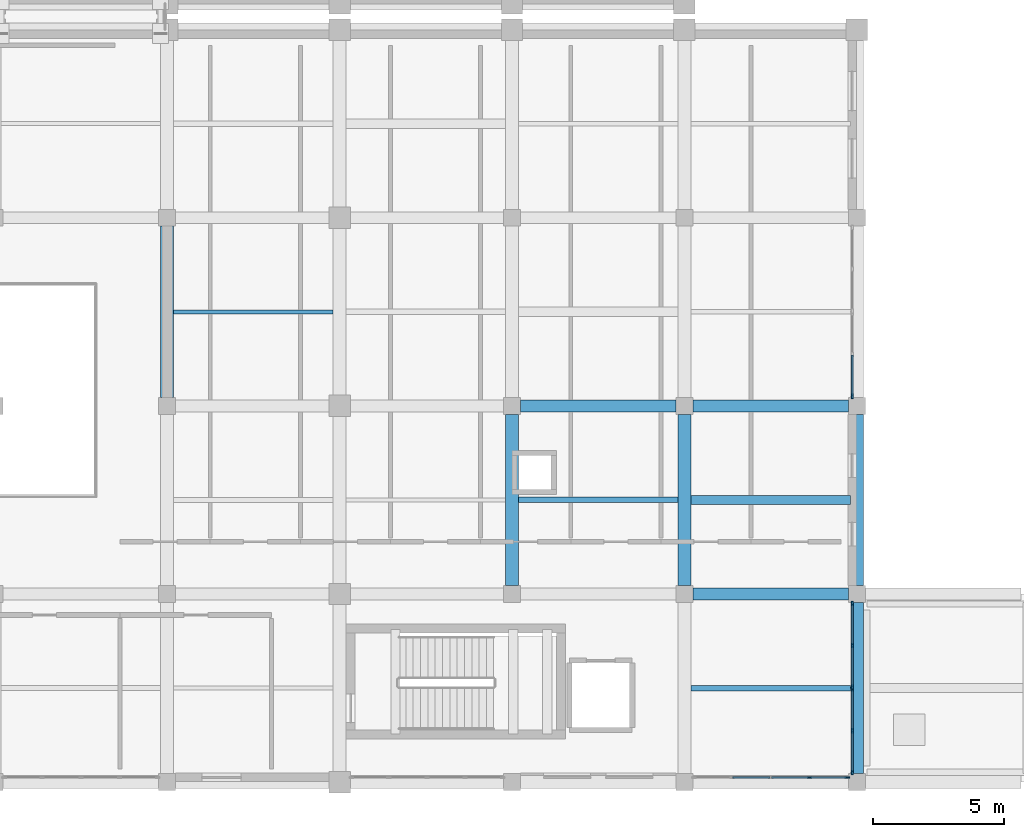
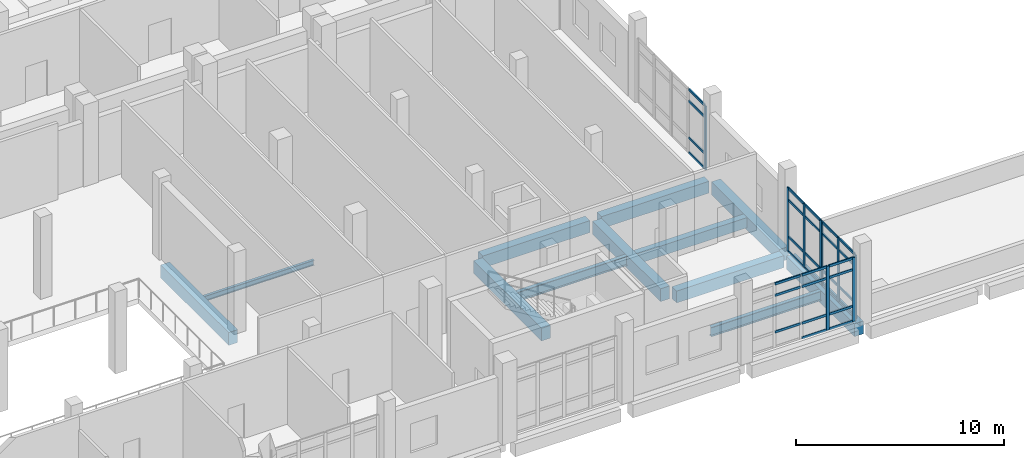
# One storey, part 16 of 90: 40 members, 12 beams, 4 elements without a shape of their own.
"""IFC4 building model written with IfcOpenShell, lengths in metres."""

from ifc_helpers import new_model, si_unit, direction, frame, origin, origin_2d, place, context, subcontext, project, spatial, rectangle, i_section, extrude, material, layer, layer_set, material_profile, profile_set, type_object, element, aggregate, save


model = new_model("IFC4")

# Units and contexts
model_context = context("Model", 3, precision=1e-05, world=origin(), true_north=direction((0.0, 1.0)))
body_context = subcontext(model_context, "Body", "Model", "MODEL_VIEW")
ifc_project = project(units=[si_unit("LENGTHUNIT", "METRE"), si_unit("AREAUNIT", "SQUARE_METRE"), si_unit("VOLUMEUNIT", "CUBIC_METRE"), si_unit("PLANEANGLEUNIT", "RADIAN"), si_unit("MASSUNIT", "GRAM", prefix="KILO")], contexts=[model_context])

# Site, building, storey
site_placement = place(None, origin())
site = spatial("IfcSite", under=ifc_project, at=site_placement, CompositionType="ELEMENT")
building_placement = place(site_placement, origin())
building = spatial("IfcBuilding", under=site, at=building_placement, Name="Kelarvand Opera House", CompositionType="ELEMENT")
storey_placement = place(building_placement, frame((0.0, 0.0, 5.39990234375)))
storey = spatial("IfcBuildingStorey", under=building, at=storey_placement, Name="L01", CompositionType="ELEMENT", Elevation=5.39990234375)

# Curtain wall, member
ifc_material_1 = material(Name="Thermally broken aluminium and low-E glazing", Category="aluminium")
ifc_layer_1 = layer(ifc_material_1, 0.179931640625, Name="Thermally broken aluminium and low-E glazing", Category="aluminium")
ifc_layer_set_1 = layer_set([ifc_layer_1], Name="Thermally broken aluminium and low-E glazing")
curtain_wall_type_1 = type_object("IfcCurtainWallType", Name="Unitised Low-E Curtain Wall 3261x3750 Mod 1350 CWF-26", PredefinedType="USERDEFINED", material=ifc_layer_set_1)
curtain_wall_1_placement = place(storey_placement, origin())
curtain_wall_1 = element("IfcCurtainWall", 1, at=curtain_wall_1_placement, inside=storey, type_object=curtain_wall_type_1, Name="V6 L01 Curtain Wall CWF-26 (206)", ObjectType="UNITISED CURTAIN WALL", PredefinedType="USERDEFINED")
ifc_material_2 = material(Name="Thermally broken anodised aluminium", Category="aluminium")
ifc_material_profile_1 = material_profile(ifc_material_2, rectangle(XDim=0.06494140625, YDim=0.179931640625, at=origin_2d()), Name="ALU MULLION 65x180", Category="aluminium")
ifc_profile_set_1 = profile_set([ifc_material_profile_1], Name="Thermally broken anodised aluminium")
member_type_1 = type_object("IfcMemberType", Name="Curtain Wall Mullion 65x180 Aluminium", PredefinedType="MULLION", material=ifc_profile_set_1)
member_1_placement = place(storey_placement, frame((135.02001953125, 23.767578125, 0.0), z_axis=(0.0, 0.0, 1.0), x_axis=(1.0, 0.0, 0.0)))
member_1 = element("IfcMember", 2, at=member_1_placement, type_object=member_type_1, Name="CWF-26 mullion 3", PredefinedType="MULLION", context=body_context, shape_type="SweptSolid", body=[
    extrude(rectangle(XDim=0.06494140625, YDim=0.179931640625, at=origin_2d()), origin(), (0.0, 0.0, 1.0), 3.75),
])

# Curtain wall, members
curtain_wall_2_placement = place(storey_placement, origin())
curtain_wall_2 = element("IfcCurtainWall", 3, at=curtain_wall_2_placement, inside=storey, type_object=curtain_wall_type_1, Name="V6 L01 Curtain Wall CWF-26 (207)", ObjectType="UNITISED CURTAIN WALL", PredefinedType="USERDEFINED")
member_2_placement = place(storey_placement, frame((135.02001953125, 15.83251953125, 0.0), z_axis=(0.0, 0.0, 1.0), x_axis=(1.0, 0.0, 0.0)))
member_2 = element("IfcMember", 4, at=member_2_placement, type_object=member_type_1, Name="CWF-26 mullion 1", PredefinedType="MULLION", context=body_context, shape_type="SweptSolid", body=[
    extrude(rectangle(XDim=0.06494140625, YDim=0.179931640625, at=origin_2d()), origin(), (0.0, 0.0, 1.0), 3.75),
])
member_3_placement = place(storey_placement, frame((135.02001953125, 14.234619140625, 0.0), z_axis=(0.0, 0.0, 1.0), x_axis=(1.0, 0.0, 0.0)))
member_3 = element("IfcMember", 5, at=member_3_placement, type_object=member_type_1, Name="CWF-26 mullion 2", PredefinedType="MULLION", context=body_context, shape_type="SweptSolid", body=[
    extrude(rectangle(XDim=0.06494140625, YDim=0.179931640625, at=origin_2d()), origin(), (0.0, 0.0, 1.0), 3.75),
])
member_4_placement = place(storey_placement, frame((135.02001953125, 12.636474609375, 0.0), z_axis=(0.0, 0.0, 1.0), x_axis=(1.0, 0.0, 0.0)))
member_4 = element("IfcMember", 6, at=member_4_placement, type_object=member_type_1, Name="CWF-26 mullion 3", PredefinedType="MULLION", context=body_context, shape_type="SweptSolid", body=[
    extrude(rectangle(XDim=0.06494140625, YDim=0.179931640625, at=origin_2d()), origin(), (0.0, 0.0, 1.0), 3.75),
])

curtain_wall_3_placement = place(storey_placement, origin())
curtain_wall_3 = element("IfcCurtainWall", 7, at=curtain_wall_3_placement, inside=storey, type_object=curtain_wall_type_1, Name="V6 L01 Curtain Wall CWF-26 (208)", ObjectType="UNITISED CURTAIN WALL", PredefinedType="USERDEFINED")
member_5_placement = place(storey_placement, frame((135.02001953125, 12.5673828125, 0.0), z_axis=(0.0, 0.0, 1.0), x_axis=(1.0, 0.0, 0.0)))
member_5 = element("IfcMember", 8, at=member_5_placement, type_object=member_type_1, Name="CWF-26 mullion 1", PredefinedType="MULLION", context=body_context, shape_type="SweptSolid", body=[
    extrude(rectangle(XDim=0.06494140625, YDim=0.179931640625, at=origin_2d()), origin(), (0.0, 0.0, 1.0), 3.75),
])
member_6_placement = place(storey_placement, frame((135.02001953125, 10.967529296875, 0.0), z_axis=(0.0, 0.0, 1.0), x_axis=(1.0, 0.0, 0.0)))
member_6 = element("IfcMember", 9, at=member_6_placement, type_object=member_type_1, Name="CWF-26 mullion 2", PredefinedType="MULLION", context=body_context, shape_type="SweptSolid", body=[
    extrude(rectangle(XDim=0.06494140625, YDim=0.179931640625, at=origin_2d()), origin(), (0.0, 0.0, 1.0), 3.75),
])
member_7_placement = place(storey_placement, frame((135.02001953125, 9.367431640625, 0.0), z_axis=(0.0, 0.0, 1.0), x_axis=(1.0, 0.0, 0.0)))
member_7 = element("IfcMember", 10, at=member_7_placement, type_object=member_type_1, Name="CWF-26 mullion 3", PredefinedType="MULLION", context=body_context, shape_type="SweptSolid", body=[
    extrude(rectangle(XDim=0.06494140625, YDim=0.179931640625, at=origin_2d()), origin(), (0.0, 0.0, 1.0), 3.75),
])

ifc_layer_2 = layer(ifc_material_1, 0.179931640625, Name="Thermally broken aluminium and low-E glazing", Category="aluminium")
ifc_layer_set_2 = layer_set([ifc_layer_2], Name="Thermally broken aluminium and low-E glazing")
curtain_wall_type_2 = type_object("IfcCurtainWallType", Name="Unitised Low-E Curtain Wall 5930x3750 Mod 1350 CWF-55", PredefinedType="USERDEFINED", material=ifc_layer_set_2)
curtain_wall_4_placement = place(storey_placement, origin())
curtain_wall_4 = element("IfcCurtainWall", 11, at=curtain_wall_4_placement, inside=storey, type_object=curtain_wall_type_2, Name="V6 L01 Curtain Wall CWF-55 (213)", ObjectType="UNITISED CURTAIN WALL", PredefinedType="USERDEFINED")
member_8_placement = place(storey_placement, frame((134.83251953125, 9.179931640625, 0.0), z_axis=(0.0, 0.0, 1.0), x_axis=(0.0, -1.0, 0.0)))
member_8 = element("IfcMember", 12, at=member_8_placement, type_object=member_type_1, Name="CWF-55 mullion 1", PredefinedType="MULLION", context=body_context, shape_type="SweptSolid", body=[
    extrude(rectangle(XDim=0.06494140625, YDim=0.179931640625, at=origin_2d()), origin(), (0.0, 0.0, 1.0), 3.75),
])
member_9_placement = place(storey_placement, frame((133.382568359375, 9.179931640625, 0.0), z_axis=(0.0, 0.0, 1.0), x_axis=(0.0, -1.0, 0.0)))
member_9 = element("IfcMember", 13, at=member_9_placement, type_object=member_type_1, Name="CWF-55 mullion 2", PredefinedType="MULLION", context=body_context, shape_type="SweptSolid", body=[
    extrude(rectangle(XDim=0.06494140625, YDim=0.179931640625, at=origin_2d()), origin(), (0.0, 0.0, 1.0), 3.75),
])

# Member
ifc_material_profile_2 = material_profile(ifc_material_2, rectangle(XDim=0.06494140625, YDim=0.139892578125, at=origin_2d()), Name="ALU TRANSOM 65x140", Category="aluminium")
ifc_profile_set_2 = profile_set([ifc_material_profile_2], Name="Thermally broken anodised aluminium")
member_type_2 = type_object("IfcMemberType", Name="Curtain Wall Transom 65x140 Aluminium", PredefinedType="USERDEFINED", material=ifc_profile_set_2)
member_10_placement = place(storey_placement, frame((135.02001953125, 25.3349609375, 0.03271484375), z_axis=(0.0, -1.0, 0.0), x_axis=(1.0, 0.0, 0.0)))
member_10 = element("IfcMember", 14, at=member_10_placement, type_object=member_type_2, Name="CWF-26 transom 2.1", ObjectType="TRANSOM", PredefinedType="USERDEFINED", context=body_context, shape_type="SweptSolid", body=[
    extrude(rectangle(XDim=0.06494140625, YDim=0.139892578125, at=origin_2d()), origin(), (0.0, 0.0, 1.0), 1.534912109375),
])

member_11_placement = place(storey_placement, frame((135.02001953125, 25.3349609375, 0.900146484375), z_axis=(0.0, -1.0, 0.0), x_axis=(1.0, 0.0, 0.0)))
member_11 = element("IfcMember", 15, at=member_11_placement, type_object=member_type_2, Name="CWF-26 transom 2.2", ObjectType="TRANSOM", PredefinedType="USERDEFINED", context=body_context, shape_type="SweptSolid", body=[
    extrude(rectangle(XDim=0.06494140625, YDim=0.139892578125, at=origin_2d()), origin(), (0.0, 0.0, 1.0), 1.534912109375),
])

member_12_placement = place(storey_placement, frame((135.02001953125, 25.3349609375, 3.050048828125), z_axis=(0.0, -1.0, 0.0), x_axis=(1.0, 0.0, 0.0)))
member_12 = element("IfcMember", 16, at=member_12_placement, type_object=member_type_2, Name="CWF-26 transom 2.3", ObjectType="TRANSOM", PredefinedType="USERDEFINED", context=body_context, shape_type="SweptSolid", body=[
    extrude(rectangle(XDim=0.06494140625, YDim=0.139892578125, at=origin_2d()), origin(), (0.0, 0.0, 1.0), 1.534912109375),
])

member_13_placement = place(storey_placement, frame((135.02001953125, 25.3349609375, 3.717529296875), z_axis=(0.0, -1.0, 0.0), x_axis=(1.0, 0.0, 0.0)))
member_13 = element("IfcMember", 17, at=member_13_placement, type_object=member_type_2, Name="CWF-26 transom 2.4", ObjectType="TRANSOM", PredefinedType="USERDEFINED", context=body_context, shape_type="SweptSolid", body=[
    extrude(rectangle(XDim=0.06494140625, YDim=0.139892578125, at=origin_2d()), origin(), (0.0, 0.0, 1.0), 1.534912109375),
])

aggregate(curtain_wall_1, [member_1, member_10, member_11, member_12, member_13])

member_14_placement = place(storey_placement, frame((135.02001953125, 15.800048828125, 0.03271484375), z_axis=(0.0, -1.0, 0.0), x_axis=(1.0, 0.0, 0.0)))
member_14 = element("IfcMember", 18, at=member_14_placement, type_object=member_type_2, Name="CWF-26 transom 1.1", ObjectType="TRANSOM", PredefinedType="USERDEFINED", context=body_context, shape_type="SweptSolid", body=[
    extrude(rectangle(XDim=0.06494140625, YDim=0.139892578125, at=origin_2d()), origin(), (0.0, 0.0, 1.0), 1.532958984375),
])

member_15_placement = place(storey_placement, frame((135.02001953125, 15.800048828125, 0.900146484375), z_axis=(0.0, -1.0, 0.0), x_axis=(1.0, 0.0, 0.0)))
member_15 = element("IfcMember", 19, at=member_15_placement, type_object=member_type_2, Name="CWF-26 transom 1.2", ObjectType="TRANSOM", PredefinedType="USERDEFINED", context=body_context, shape_type="SweptSolid", body=[
    extrude(rectangle(XDim=0.06494140625, YDim=0.139892578125, at=origin_2d()), origin(), (0.0, 0.0, 1.0), 1.532958984375),
])

member_16_placement = place(storey_placement, frame((135.02001953125, 15.800048828125, 3.050048828125), z_axis=(0.0, -1.0, 0.0), x_axis=(1.0, 0.0, 0.0)))
member_16 = element("IfcMember", 20, at=member_16_placement, type_object=member_type_2, Name="CWF-26 transom 1.3", ObjectType="TRANSOM", PredefinedType="USERDEFINED", context=body_context, shape_type="SweptSolid", body=[
    extrude(rectangle(XDim=0.06494140625, YDim=0.139892578125, at=origin_2d()), origin(), (0.0, 0.0, 1.0), 1.532958984375),
])

member_17_placement = place(storey_placement, frame((135.02001953125, 15.800048828125, 3.717529296875), z_axis=(0.0, -1.0, 0.0), x_axis=(1.0, 0.0, 0.0)))
member_17 = element("IfcMember", 21, at=member_17_placement, type_object=member_type_2, Name="CWF-26 transom 1.4", ObjectType="TRANSOM", PredefinedType="USERDEFINED", context=body_context, shape_type="SweptSolid", body=[
    extrude(rectangle(XDim=0.06494140625, YDim=0.139892578125, at=origin_2d()), origin(), (0.0, 0.0, 1.0), 1.532958984375),
])

member_18_placement = place(storey_placement, frame((135.02001953125, 14.201904296875, 0.03271484375), z_axis=(0.0, -1.0, 0.0), x_axis=(1.0, 0.0, 0.0)))
member_18 = element("IfcMember", 22, at=member_18_placement, type_object=member_type_2, Name="CWF-26 transom 2.1", ObjectType="TRANSOM", PredefinedType="USERDEFINED", context=body_context, shape_type="SweptSolid", body=[
    extrude(rectangle(XDim=0.06494140625, YDim=0.139892578125, at=origin_2d()), origin(), (0.0, 0.0, 1.0), 1.532958984375),
])

member_19_placement = place(storey_placement, frame((135.02001953125, 14.201904296875, 0.900146484375), z_axis=(0.0, -1.0, 0.0), x_axis=(1.0, 0.0, 0.0)))
member_19 = element("IfcMember", 23, at=member_19_placement, type_object=member_type_2, Name="CWF-26 transom 2.2", ObjectType="TRANSOM", PredefinedType="USERDEFINED", context=body_context, shape_type="SweptSolid", body=[
    extrude(rectangle(XDim=0.06494140625, YDim=0.139892578125, at=origin_2d()), origin(), (0.0, 0.0, 1.0), 1.532958984375),
])

member_20_placement = place(storey_placement, frame((135.02001953125, 14.201904296875, 3.050048828125), z_axis=(0.0, -1.0, 0.0), x_axis=(1.0, 0.0, 0.0)))
member_20 = element("IfcMember", 24, at=member_20_placement, type_object=member_type_2, Name="CWF-26 transom 2.3", ObjectType="TRANSOM", PredefinedType="USERDEFINED", context=body_context, shape_type="SweptSolid", body=[
    extrude(rectangle(XDim=0.06494140625, YDim=0.139892578125, at=origin_2d()), origin(), (0.0, 0.0, 1.0), 1.532958984375),
])

member_21_placement = place(storey_placement, frame((135.02001953125, 14.201904296875, 3.717529296875), z_axis=(0.0, -1.0, 0.0), x_axis=(1.0, 0.0, 0.0)))
member_21 = element("IfcMember", 25, at=member_21_placement, type_object=member_type_2, Name="CWF-26 transom 2.4", ObjectType="TRANSOM", PredefinedType="USERDEFINED", context=body_context, shape_type="SweptSolid", body=[
    extrude(rectangle(XDim=0.06494140625, YDim=0.139892578125, at=origin_2d()), origin(), (0.0, 0.0, 1.0), 1.532958984375),
])

aggregate(curtain_wall_2, [member_2, member_3, member_4, member_14, member_15, member_16, member_17, member_18, member_19, member_20, member_21])

member_22_placement = place(storey_placement, frame((135.02001953125, 12.534912109375, 0.03271484375), z_axis=(0.0, -1.0, 0.0), x_axis=(1.0, 0.0, 0.0)))
member_22 = element("IfcMember", 26, at=member_22_placement, type_object=member_type_2, Name="CWF-26 transom 1.1", ObjectType="TRANSOM", PredefinedType="USERDEFINED", context=body_context, shape_type="SweptSolid", body=[
    extrude(rectangle(XDim=0.06494140625, YDim=0.139892578125, at=origin_2d()), origin(), (0.0, 0.0, 1.0), 1.534912109375),
])

member_23_placement = place(storey_placement, frame((135.02001953125, 12.534912109375, 0.900146484375), z_axis=(0.0, -1.0, 0.0), x_axis=(1.0, 0.0, 0.0)))
member_23 = element("IfcMember", 27, at=member_23_placement, type_object=member_type_2, Name="CWF-26 transom 1.2", ObjectType="TRANSOM", PredefinedType="USERDEFINED", context=body_context, shape_type="SweptSolid", body=[
    extrude(rectangle(XDim=0.06494140625, YDim=0.139892578125, at=origin_2d()), origin(), (0.0, 0.0, 1.0), 1.534912109375),
])

member_24_placement = place(storey_placement, frame((135.02001953125, 12.534912109375, 3.050048828125), z_axis=(0.0, -1.0, 0.0), x_axis=(1.0, 0.0, 0.0)))
member_24 = element("IfcMember", 28, at=member_24_placement, type_object=member_type_2, Name="CWF-26 transom 1.3", ObjectType="TRANSOM", PredefinedType="USERDEFINED", context=body_context, shape_type="SweptSolid", body=[
    extrude(rectangle(XDim=0.06494140625, YDim=0.139892578125, at=origin_2d()), origin(), (0.0, 0.0, 1.0), 1.534912109375),
])

member_25_placement = place(storey_placement, frame((135.02001953125, 12.534912109375, 3.717529296875), z_axis=(0.0, -1.0, 0.0), x_axis=(1.0, 0.0, 0.0)))
member_25 = element("IfcMember", 29, at=member_25_placement, type_object=member_type_2, Name="CWF-26 transom 1.4", ObjectType="TRANSOM", PredefinedType="USERDEFINED", context=body_context, shape_type="SweptSolid", body=[
    extrude(rectangle(XDim=0.06494140625, YDim=0.139892578125, at=origin_2d()), origin(), (0.0, 0.0, 1.0), 1.534912109375),
])

member_26_placement = place(storey_placement, frame((135.02001953125, 10.93505859375, 0.03271484375), z_axis=(0.0, -1.0, 0.0), x_axis=(1.0, 0.0, 0.0)))
member_26 = element("IfcMember", 30, at=member_26_placement, type_object=member_type_2, Name="CWF-26 transom 2.1", ObjectType="TRANSOM", PredefinedType="USERDEFINED", context=body_context, shape_type="SweptSolid", body=[
    extrude(rectangle(XDim=0.06494140625, YDim=0.139892578125, at=origin_2d()), origin(), (0.0, 0.0, 1.0), 1.53515625),
])

member_27_placement = place(storey_placement, frame((135.02001953125, 10.93505859375, 0.900146484375), z_axis=(0.0, -1.0, 0.0), x_axis=(1.0, 0.0, 0.0)))
member_27 = element("IfcMember", 31, at=member_27_placement, type_object=member_type_2, Name="CWF-26 transom 2.2", ObjectType="TRANSOM", PredefinedType="USERDEFINED", context=body_context, shape_type="SweptSolid", body=[
    extrude(rectangle(XDim=0.06494140625, YDim=0.139892578125, at=origin_2d()), origin(), (0.0, 0.0, 1.0), 1.53515625),
])

member_28_placement = place(storey_placement, frame((135.02001953125, 10.93505859375, 3.050048828125), z_axis=(0.0, -1.0, 0.0), x_axis=(1.0, 0.0, 0.0)))
member_28 = element("IfcMember", 32, at=member_28_placement, type_object=member_type_2, Name="CWF-26 transom 2.3", ObjectType="TRANSOM", PredefinedType="USERDEFINED", context=body_context, shape_type="SweptSolid", body=[
    extrude(rectangle(XDim=0.06494140625, YDim=0.139892578125, at=origin_2d()), origin(), (0.0, 0.0, 1.0), 1.53515625),
])

member_29_placement = place(storey_placement, frame((135.02001953125, 10.93505859375, 3.717529296875), z_axis=(0.0, -1.0, 0.0), x_axis=(1.0, 0.0, 0.0)))
member_29 = element("IfcMember", 33, at=member_29_placement, type_object=member_type_2, Name="CWF-26 transom 2.4", ObjectType="TRANSOM", PredefinedType="USERDEFINED", context=body_context, shape_type="SweptSolid", body=[
    extrude(rectangle(XDim=0.06494140625, YDim=0.139892578125, at=origin_2d()), origin(), (0.0, 0.0, 1.0), 1.53515625),
])

aggregate(curtain_wall_3, [member_5, member_6, member_7, member_22, member_23, member_24, member_25, member_26, member_27, member_28, member_29])

member_30_placement = place(storey_placement, frame((134.800048828125, 9.179931640625, 0.03271484375), z_axis=(-1.0, 0.0, 0.0), x_axis=(0.0, -1.0, 0.0)))
member_30 = element("IfcMember", 34, at=member_30_placement, type_object=member_type_2, Name="CWF-55 transom 1.1", ObjectType="TRANSOM", PredefinedType="USERDEFINED", context=body_context, shape_type="SweptSolid", body=[
    extrude(rectangle(XDim=0.06494140625, YDim=0.139892578125, at=origin_2d()), origin(), (0.0, 0.0, 1.0), 1.385009765625),
])

member_31_placement = place(storey_placement, frame((134.800048828125, 9.179931640625, 0.900146484375), z_axis=(-1.0, 0.0, 0.0), x_axis=(0.0, -1.0, 0.0)))
member_31 = element("IfcMember", 35, at=member_31_placement, type_object=member_type_2, Name="CWF-55 transom 1.2", ObjectType="TRANSOM", PredefinedType="USERDEFINED", context=body_context, shape_type="SweptSolid", body=[
    extrude(rectangle(XDim=0.06494140625, YDim=0.139892578125, at=origin_2d()), origin(), (0.0, 0.0, 1.0), 1.385009765625),
])

member_32_placement = place(storey_placement, frame((134.800048828125, 9.179931640625, 3.050048828125), z_axis=(-1.0, 0.0, 0.0), x_axis=(0.0, -1.0, 0.0)))
member_32 = element("IfcMember", 36, at=member_32_placement, type_object=member_type_2, Name="CWF-55 transom 1.3", ObjectType="TRANSOM", PredefinedType="USERDEFINED", context=body_context, shape_type="SweptSolid", body=[
    extrude(rectangle(XDim=0.06494140625, YDim=0.139892578125, at=origin_2d()), origin(), (0.0, 0.0, 1.0), 1.385009765625),
])

member_33_placement = place(storey_placement, frame((134.800048828125, 9.179931640625, 3.717529296875), z_axis=(-1.0, 0.0, 0.0), x_axis=(0.0, -1.0, 0.0)))
member_33 = element("IfcMember", 37, at=member_33_placement, type_object=member_type_2, Name="CWF-55 transom 1.4", ObjectType="TRANSOM", PredefinedType="USERDEFINED", context=body_context, shape_type="SweptSolid", body=[
    extrude(rectangle(XDim=0.06494140625, YDim=0.139892578125, at=origin_2d()), origin(), (0.0, 0.0, 1.0), 1.385009765625),
])

member_34_placement = place(storey_placement, frame((133.35009765625, 9.179931640625, 0.03271484375), z_axis=(-1.0, 0.0, 0.0), x_axis=(0.0, -1.0, 0.0)))
member_34 = element("IfcMember", 38, at=member_34_placement, type_object=member_type_2, Name="CWF-55 transom 2.1", ObjectType="TRANSOM", PredefinedType="USERDEFINED", context=body_context, shape_type="SweptSolid", body=[
    extrude(rectangle(XDim=0.06494140625, YDim=0.139892578125, at=origin_2d()), origin(), (0.0, 0.0, 1.0), 1.41748046875),
])

member_35_placement = place(storey_placement, frame((133.35009765625, 9.179931640625, 0.900146484375), z_axis=(-1.0, 0.0, 0.0), x_axis=(0.0, -1.0, 0.0)))
member_35 = element("IfcMember", 39, at=member_35_placement, type_object=member_type_2, Name="CWF-55 transom 2.2", ObjectType="TRANSOM", PredefinedType="USERDEFINED", context=body_context, shape_type="SweptSolid", body=[
    extrude(rectangle(XDim=0.06494140625, YDim=0.139892578125, at=origin_2d()), origin(), (0.0, 0.0, 1.0), 1.41748046875),
])

member_36_placement = place(storey_placement, frame((133.35009765625, 9.179931640625, 3.050048828125), z_axis=(-1.0, 0.0, 0.0), x_axis=(0.0, -1.0, 0.0)))
member_36 = element("IfcMember", 40, at=member_36_placement, type_object=member_type_2, Name="CWF-55 transom 2.3", ObjectType="TRANSOM", PredefinedType="USERDEFINED", context=body_context, shape_type="SweptSolid", body=[
    extrude(rectangle(XDim=0.06494140625, YDim=0.139892578125, at=origin_2d()), origin(), (0.0, 0.0, 1.0), 1.41748046875),
])

member_37_placement = place(storey_placement, frame((133.35009765625, 9.179931640625, 3.717529296875), z_axis=(-1.0, 0.0, 0.0), x_axis=(0.0, -1.0, 0.0)))
member_37 = element("IfcMember", 41, at=member_37_placement, type_object=member_type_2, Name="CWF-55 transom 2.4", ObjectType="TRANSOM", PredefinedType="USERDEFINED", context=body_context, shape_type="SweptSolid", body=[
    extrude(rectangle(XDim=0.06494140625, YDim=0.139892578125, at=origin_2d()), origin(), (0.0, 0.0, 1.0), 1.41748046875),
])

member_38_placement = place(storey_placement, frame((131.867431640625, 9.179931640625, 0.900146484375), z_axis=(-1.0, 0.0, 0.0), x_axis=(0.0, -1.0, 0.0)))
member_38 = element("IfcMember", 42, at=member_38_placement, type_object=member_type_2, Name="CWF-55 transom 3.2", ObjectType="TRANSOM", PredefinedType="USERDEFINED", context=body_context, shape_type="SweptSolid", body=[
    extrude(rectangle(XDim=0.06494140625, YDim=0.139892578125, at=origin_2d()), origin(), (0.0, 0.0, 1.0), 1.41748046875),
])

member_39_placement = place(storey_placement, frame((131.867431640625, 9.179931640625, 3.050048828125), z_axis=(-1.0, 0.0, 0.0), x_axis=(0.0, -1.0, 0.0)))
member_39 = element("IfcMember", 43, at=member_39_placement, type_object=member_type_2, Name="CWF-55 transom 3.3", ObjectType="TRANSOM", PredefinedType="USERDEFINED", context=body_context, shape_type="SweptSolid", body=[
    extrude(rectangle(XDim=0.06494140625, YDim=0.139892578125, at=origin_2d()), origin(), (0.0, 0.0, 1.0), 1.41748046875),
])

member_40_placement = place(storey_placement, frame((131.867431640625, 9.179931640625, 3.717529296875), z_axis=(-1.0, 0.0, 0.0), x_axis=(0.0, -1.0, 0.0)))
member_40 = element("IfcMember", 44, at=member_40_placement, type_object=member_type_2, Name="CWF-55 transom 3.4", ObjectType="TRANSOM", PredefinedType="USERDEFINED", context=body_context, shape_type="SweptSolid", body=[
    extrude(rectangle(XDim=0.06494140625, YDim=0.139892578125, at=origin_2d()), origin(), (0.0, 0.0, 1.0), 1.41748046875),
])

aggregate(curtain_wall_4, [member_8, member_9, member_30, member_31, member_32, member_33, member_34, member_35, member_36, member_37, member_38, member_39, member_40])

# Beams
ifc_material_3 = material(Name="Concrete C35/45", Category="concrete")
ifc_material_profile_3 = material_profile(ifc_material_3, rectangle(XDim=0.35009765625, YDim=0.60009765625, at=origin_2d()), Name="RC 350x600", Category="concrete")
ifc_profile_set_3 = profile_set([ifc_material_profile_3], Name="Concrete C35/45")
beam_type_1 = type_object("IfcBeamType", Name="Structural Beam RC 350x600 BM-RC350x600", PredefinedType="BEAM", material=ifc_profile_set_3)
beam_1_placement = place(storey_placement, frame((128.85009765625, 19.800048828125, -0.599853515625), z_axis=(1.0, 0.0, 0.0), x_axis=(0.0, 1.0, 0.0)))
element("IfcBeam", 45, at=beam_1_placement, inside=storey, type_object=beam_type_1, Name="V6 L01 Beam BM-RC350x600", PredefinedType="BEAM", context=body_context, shape_type="SweptSolid", body=[
    extrude(rectangle(XDim=0.35009765625, YDim=0.60009765625, at=origin_2d()), origin(), (0.0, 0.0, 1.0), 6.099853515625),
])
ifc_material_4 = material(Name="Concrete C40/50", Category="concrete")
ifc_material_profile_4 = material_profile(ifc_material_4, rectangle(XDim=0.449951171875, YDim=0.699951171875, at=origin_2d()), Name="RC 450x700", Category="concrete")
ifc_profile_set_4 = profile_set([ifc_material_profile_4], Name="Concrete C40/50")
beam_type_2 = type_object("IfcBeamType", Name="Structural Beam RC 450x700 BM-RC450x700", PredefinedType="BEAM", material=ifc_profile_set_4)
for number, where, z_axis, x_axis, name in (
    (46, (128.925048828125, 16.199951171875, -0.64990234375), (1.0, 0.0, 0.0), (0.0, 1.0, 0.0), "V6 L01 Beam BM-RC450x700"),
    (47, (122.324951171875, 23.39990234375, -0.64990234375), (1.0, 0.0, 0.0), (0.0, 1.0, 0.0), "V6 L01 Beam BM-RC450x700"),
    (48, (128.925048828125, 23.39990234375, -0.64990234375), (1.0, 0.0, 0.0), (0.0, 1.0, 0.0), "V6 L01 Beam BM-RC450x700"),
):
    element("IfcBeam", number, at=place(storey_placement, frame(where, z_axis=z_axis, x_axis=x_axis)), inside=storey, type_object=beam_type_2, Name=name, PredefinedType="BEAM", context=body_context, shape_type="SweptSolid", body=[
        extrude(rectangle(XDim=0.449951171875, YDim=0.699951171875, at=origin_2d()), origin(), (0.0, 0.0, 1.0), 5.949951171875),
    ])
ifc_material_profile_5 = material_profile(ifc_material_4, rectangle(XDim=0.5, YDim=0.75, at=origin_2d()), Name="RC 500x750", Category="concrete")
ifc_profile_set_5 = profile_set([ifc_material_profile_5], Name="Concrete C40/50")
beam_type_3 = type_object("IfcBeamType", Name="Structural Beam RC 500x750 BM-RC500x750", PredefinedType="BEAM", material=ifc_profile_set_5)
beam_2_placement = place(storey_placement, frame((108.800048828125, 23.72509765625, -0.6748046875), z_axis=(0.0, 1.0, 0.0), x_axis=(-1.0, 0.0, 0.0)))
element("IfcBeam", 49, at=beam_2_placement, inside=storey, type_object=beam_type_3, Name="V6 L01 Beam BM-RC500x750", PredefinedType="BEAM", context=body_context, shape_type="SweptSolid", body=[
    extrude(rectangle(XDim=0.5, YDim=0.75, at=origin_2d()), origin(), (0.0, 0.0, 1.0), 6.5498046875),
])
for number, where, z_axis, x_axis, name in (
    (50, (122.0, 16.52490234375, -0.6748046875), (0.0, 1.0, 0.0), (-1.0, 0.0, 0.0), "V6 L01 Beam BM-RC500x750"),
    (51, (128.60009765625, 16.52490234375, -0.6748046875), (0.0, 1.0, 0.0), (-1.0, 0.0, 0.0), "V6 L01 Beam BM-RC500x750"),
    (52, (135.199951171875, 9.324951171875, -0.6748046875), (0.0, 1.0, 0.0), (-1.0, 0.0, 0.0), "V6 L01 Beam BM-RC500x750"),
    (53, (135.199951171875, 16.52490234375, -0.6748046875), (0.0, 1.0, 0.0), (-1.0, 0.0, 0.0), "V6 L01 Beam BM-RC500x750"),
):
    element("IfcBeam", number, at=place(storey_placement, frame(where, z_axis=z_axis, x_axis=x_axis)), inside=storey, type_object=beam_type_3, Name=name, PredefinedType="BEAM", context=body_context, shape_type="SweptSolid", body=[
        extrude(rectangle(XDim=0.5, YDim=0.75, at=origin_2d()), origin(), (0.0, 0.0, 1.0), 6.550048828125),
    ])
ifc_material_5 = material(Name="Steel S355", Category="steel")
ifc_material_profile_6 = material_profile(ifc_material_5, i_section(OverallWidth=0.14990234375, OverallDepth=0.300048828125, WebThickness=0.007080078125, FlangeThickness=0.0107421875, at=origin_2d()), Name="IPE 300", Category="steel")
ifc_profile_set_6 = profile_set([ifc_material_profile_6], Name="Steel S355")
beam_type_4 = type_object("IfcBeamType", Name="Structural Joist IPE 300 JS-IPE300", PredefinedType="JOIST", material=ifc_profile_set_6)
beam_3_placement = place(storey_placement, frame((109.050048828125, 27.0, -0.449951171875), z_axis=(1.0, 0.0, 0.0), x_axis=(0.0, 1.0, 0.0)))
element("IfcBeam", 54, at=beam_3_placement, inside=storey, type_object=beam_type_4, Name="V6 L01 Beam JS-IPE300", PredefinedType="JOIST", context=body_context, shape_type="SweptSolid", body=[
    extrude(i_section(OverallWidth=0.14990234375, OverallDepth=0.300048828125, WebThickness=0.007080078125, FlangeThickness=0.0107421875, at=origin_2d()), origin(), (0.0, 0.0, 1.0), 6.099853515625),
])
ifc_material_profile_7 = material_profile(ifc_material_5, i_section(OverallWidth=0.2099609375, OverallDepth=0.550048828125, WebThickness=0.010986328125, FlangeThickness=0.01708984375, at=origin_2d()), Name="IPE 550", Category="steel")
ifc_profile_set_7 = profile_set([ifc_material_profile_7], Name="Steel S355")
beam_type_5 = type_object("IfcBeamType", Name="Structural Joist IPE 550 JS-IPE550", PredefinedType="JOIST", material=ifc_profile_set_7)
beam_4_placement = place(storey_placement, frame((122.25, 19.800048828125, -0.574951171875), z_axis=(1.0, 0.0, 0.0), x_axis=(0.0, 1.0, 0.0)))
element("IfcBeam", 55, at=beam_4_placement, inside=storey, type_object=beam_type_5, Name="V6 L01 Beam JS-IPE550", PredefinedType="JOIST", context=body_context, shape_type="SweptSolid", body=[
    extrude(i_section(OverallWidth=0.2099609375, OverallDepth=0.550048828125, WebThickness=0.010986328125, FlangeThickness=0.01708984375, at=origin_2d()), origin(), (0.0, 0.0, 1.0), 6.10009765625),
])
beam_5_placement = place(storey_placement, frame((128.85009765625, 12.60009765625, -0.574951171875), z_axis=(1.0, 0.0, 0.0), x_axis=(0.0, 1.0, 0.0)))
element("IfcBeam", 56, at=beam_5_placement, inside=storey, type_object=beam_type_5, Name="V6 L01 Beam JS-IPE550", PredefinedType="JOIST", context=body_context, shape_type="SweptSolid", body=[
    extrude(i_section(OverallWidth=0.2099609375, OverallDepth=0.550048828125, WebThickness=0.010986328125, FlangeThickness=0.01708984375, at=origin_2d()), origin(), (0.0, 0.0, 1.0), 6.099853515625),
])

save(model, "model.ifc")
